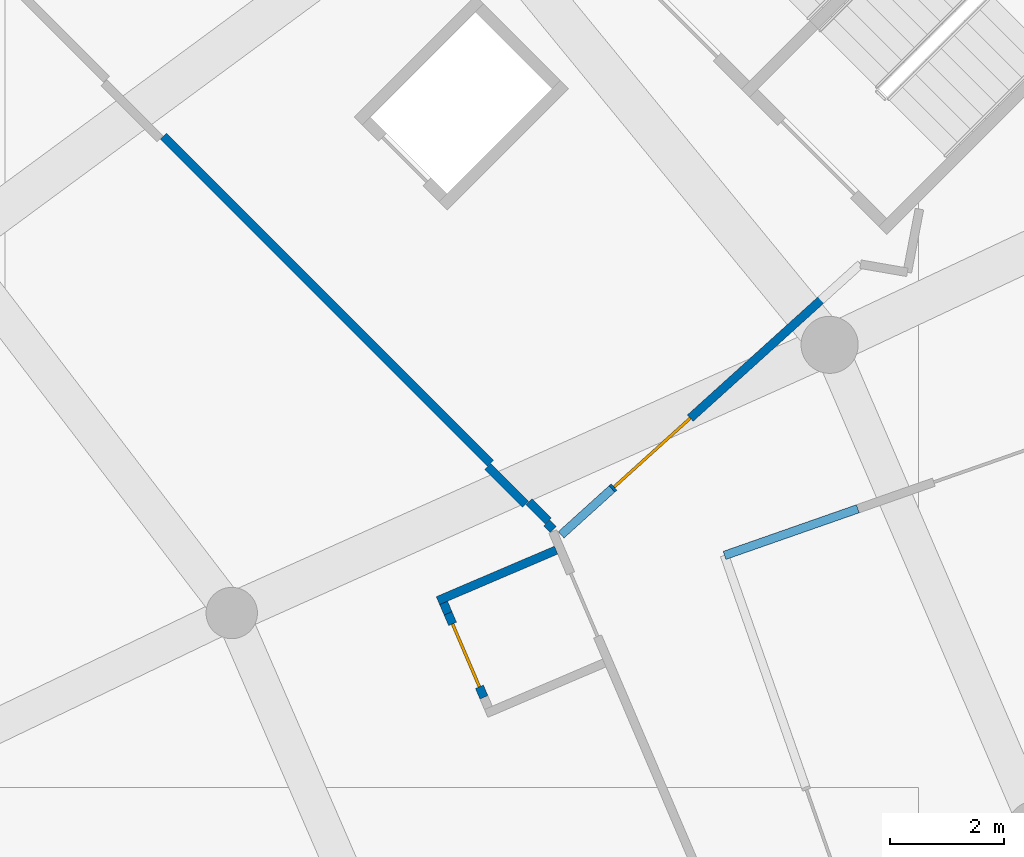
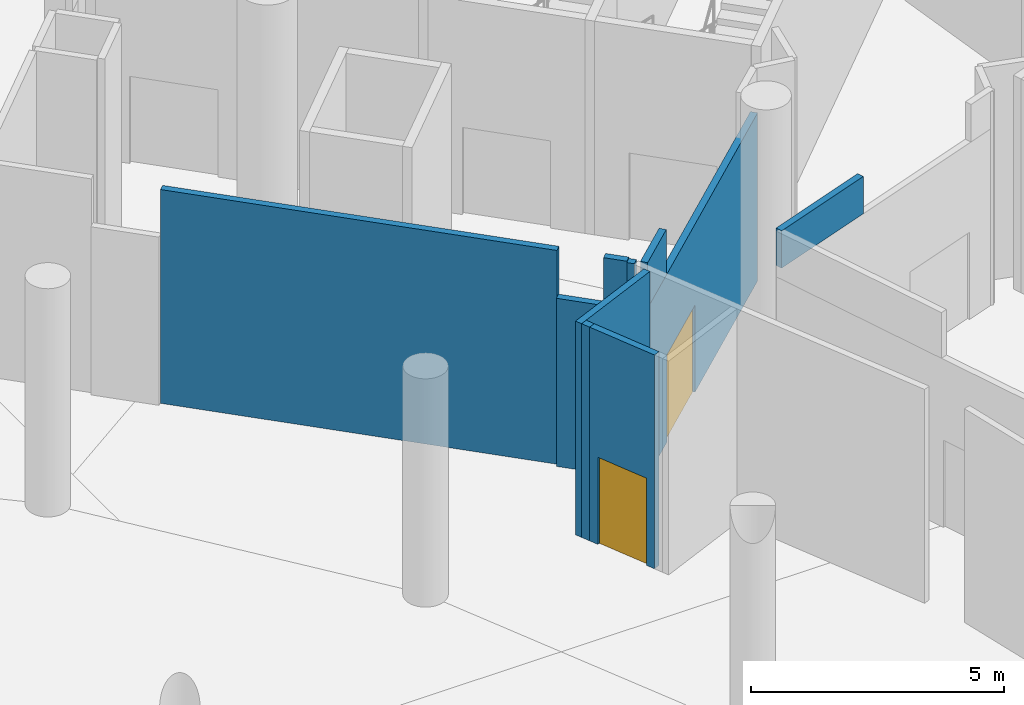
# One storey, part 191 of 271: 10 walls, 2 doors, 2 openings.
"""IFC4 building model written with IfcOpenShell, lengths in metres."""

from ifc_helpers import new_model, si_unit, direction, frame, frame_2d, origin, place, context, subcontext, project, spatial, rectangle, extrude, material, layer, layer_set, type_object, element, fill, save


model = new_model("IFC4")

# Units and contexts
model_context = context("Model", 3, precision=1e-05, world=origin(), true_north=direction((0.0, 1.0)))
body_context = subcontext(model_context, "Body", "Model", "MODEL_VIEW")
ifc_project = project(units=[si_unit("LENGTHUNIT", "METRE"), si_unit("AREAUNIT", "SQUARE_METRE"), si_unit("VOLUMEUNIT", "CUBIC_METRE"), si_unit("PLANEANGLEUNIT", "RADIAN"), si_unit("MASSUNIT", "GRAM", prefix="KILO")], contexts=[model_context])

# Site, building, storey
site_placement = place(None, origin())
site = spatial("IfcSite", under=ifc_project, at=site_placement, CompositionType="ELEMENT")
building_placement = place(site_placement, origin())
building = spatial("IfcBuilding", under=site, at=building_placement, Name="Meseta Stadium", CompositionType="ELEMENT")
storey_placement = place(building_placement, frame((0.0, 0.0, 6.5)))
storey = spatial("IfcBuildingStorey", under=building, at=storey_placement, Name="L01", CompositionType="ELEMENT", Elevation=6.5)

# Walls
ifc_material_1 = material(Name="Masonry blockwork", Category="masonry")
ifc_layer = layer(ifc_material_1, 0.14990234375)
ifc_layer_set = layer_set([ifc_layer], Name="Partition 150")
wall_type = type_object("IfcWallType", Name="Partition 150", PredefinedType="PARTITIONING", material=ifc_layer_set)
wall_1_placement = place(storey_placement, frame((66.77880859375, 75.410400390625, 0.0), z_axis=(0.0, 0.0, 1.0), x_axis=(0.707091708943, -0.707121853109, 0.0)))
element("IfcWall", 1, at=wall_1_placement, inside=storey, type_object=wall_type, Name="Partition L01 L01-cell05-0-0", PredefinedType="PARTITIONING", context=body_context, shape_type="SweptSolid", body=[
    extrude(rectangle(XDim=8.09912109375, YDim=0.14990234375, at=frame_2d((4.049560546875, 0.0))), origin(), (0.0, 0.0, 1.0), 5.14990234375),
])
wall_2_placement = place(storey_placement, frame((73.179443359375, 69.009521484375, 0.0), z_axis=(0.0, 0.0, 1.0), x_axis=(0.707106781187, -0.707106781187, 0.0)))
element("IfcWall", 2, at=wall_2_placement, inside=storey, type_object=wall_type, Name="Partition L01 L01-cell05-0-0", PredefinedType="PARTITIONING", context=body_context, shape_type="SweptSolid", body=[
    extrude(rectangle(XDim=0.4765625, YDim=0.14990234375, at=frame_2d((0.23828125, 0.0))), origin(), (0.0, 0.0, 1.0), 5.14990234375),
])
wall_3_placement = place(storey_placement, frame((78.940673828125, 68.88427734375, 4.25), z_axis=(0.0, 0.0, 1.0), x_axis=(-0.943892194222, -0.330253729256, 0.0)))
element("IfcWall", 3, at=wall_3_placement, inside=storey, type_object=wall_type, Name="Stair vestibule wall L01 core 06", PredefinedType="PARTITIONING", context=body_context, shape_type="SweptSolid", body=[
    extrude(rectangle(XDim=2.474365234375, YDim=0.14990234375, at=frame_2d((1.2373046875, 0.0))), origin(), (0.0, 0.0, 1.0), 0.89990234375),
])
wall_4_placement = place(storey_placement, frame((72.459716796875, 69.623291015625, 0.0), z_axis=(0.0, 0.0, 1.0), x_axis=(0.707106781187, -0.707106781187, 0.0)))
element("IfcWall", 4, at=wall_4_placement, inside=storey, type_object=wall_type, Name="Stair vestibule wall L01 core 07", PredefinedType="PARTITIONING", context=body_context, shape_type="SweptSolid", body=[
    extrude(rectangle(XDim=0.932861328125, YDim=0.14990234375, at=frame_2d((0.46630859375, 0.0))), origin(), (0.0, 0.0, 1.0), 4.050048828125),
])
wall_5_placement = place(storey_placement, frame((73.49169921875, 68.6337890625, 0.0), z_axis=(0.0, 0.0, 1.0), x_axis=(0.706331870343, -0.707880843743, 0.0)))
element("IfcWall", 5, at=wall_5_placement, inside=storey, type_object=wall_type, Name="Stair vestibule wall L01 core 07", PredefinedType="PARTITIONING", context=body_context, shape_type="SweptSolid", body=[
    extrude(rectangle(XDim=0.15771484375, YDim=0.14990234375, at=frame_2d((0.078857421875, 0.0))), origin(), (0.0, 0.0, 1.0), 5.14990234375),
])

# Wall, opening, door
wall_6_placement = place(storey_placement, frame((73.742431640625, 68.427001953125, 0.0), z_axis=(0.0, 0.0, 1.0), x_axis=(0.741827757785, 0.670590469496, 0.0)))
wall_6 = element("IfcWall", 6, at=wall_6_placement, inside=storey, type_object=wall_type, Name="Stair vestibule wall L01 core 07", PredefinedType="PARTITIONING", context=body_context, shape_type="SweptSolid", body=[
    extrude(rectangle(XDim=7.0703125, YDim=0.14990234375, at=frame_2d((3.53515625, 0.0))), origin(), (0.0, 0.0, 1.0), 4.050048828125),
])
opening_1_placement = place(wall_6_placement, frame((1.25, 0.0, 0.0)))
opening_1 = element("IfcOpeningElement", 7, at=opening_1_placement, cuts=wall_6, Name="Opening D762", PredefinedType="OPENING", context=body_context, shape_type="SweptSolid", body=[
    extrude(rectangle(XDim=1.800048828125, YDim=2.10009765625, at=frame_2d((0.89990234375, 1.050048828125))), frame((0.0, 0.0849609375, 0.0), z_axis=(0.0, -1.0, 0.0), x_axis=(1.0, 0.0, 0.0)), (0.0, 0.0, 1.0), 0.169921875),
])
ifc_material_2 = material(Name="Steel", Category="steel")
door_type_1 = type_object("IfcDoorType", Name="Fire double door 1800x2100 EI2 60", OperationType="DOUBLE_DOOR_SINGLE_SWING", PredefinedType="DOOR", material=ifc_material_2)
door_1_placement = place(opening_1_placement, origin())
door_1 = element("IfcDoor", 8, at=door_1_placement, inside=storey, type_object=door_type_1, Name="Stair vestibule door L01 core 07", OperationType="DOUBLE_DOOR_SINGLE_SWING", OverallHeight=2.10009765625, OverallWidth=1.800048828125, PredefinedType="DOOR", context=body_context, shape_type="SweptSolid", body=[
    extrude(rectangle(XDim=1.800048828125, YDim=2.10009765625, at=frame_2d((0.89990234375, 1.050048828125))), frame((0.0, 0.02490234375, 0.0), z_axis=(0.0, -1.0, 0.0), x_axis=(1.0, 0.0, 0.0)), (0.0, 0.0, 1.0), 0.050048828125),
])
fill(opening_1, door_1)

# Walls
wall_7_placement = place(storey_placement, frame((73.742431640625, 68.427001953125, 4.050048828125), z_axis=(0.0, 0.0, 1.0), x_axis=(0.741906759341, 0.670503065201, 0.0)))
element("IfcWall", 9, at=wall_7_placement, inside=storey, type_object=wall_type, Name="Stair vestibule wall L01 core 07", PredefinedType="PARTITIONING", context=body_context, shape_type="SweptSolid", body=[
    extrude(rectangle(XDim=1.2001953125, YDim=0.14990234375, at=frame_2d((0.60009765625, 0.0))), origin(), (0.0, 0.0, 1.0), 1.099853515625),
])
wall_8_placement = place(storey_placement, frame((73.654052734375, 68.1591796875, 0.0), z_axis=(0.0, 0.0, 1.0), x_axis=(-0.919638165537, -0.392766653993, 0.0)))
element("IfcWall", 10, at=wall_8_placement, inside=storey, type_object=wall_type, Name="Partition L01 L01-cell05-0-0 vestibule", PredefinedType="PARTITIONING", context=body_context, shape_type="SweptSolid", body=[
    extrude(rectangle(XDim=2.250244140625, YDim=0.14990234375, at=frame_2d((1.125, 0.0))), origin(), (0.0, 0.0, 1.0), 5.14990234375),
])
wall_9_placement = place(storey_placement, frame((71.683349609375, 67.236083984375, 0.0), z_axis=(0.0, 0.0, 1.0), x_axis=(0.391709037985, -0.920089142182, 0.0)))
element("IfcWall", 11, at=wall_9_placement, inside=storey, type_object=wall_type, Name="Partition L01 L01-cell05-0-0 vestibule", PredefinedType="PARTITIONING", context=body_context, shape_type="SweptSolid", body=[
    extrude(rectangle(XDim=0.199951171875, YDim=0.14990234375, at=frame_2d((0.10009765625, 0.0))), origin(), (0.0, 0.0, 1.0), 5.14990234375),
])

# Wall, opening, door
wall_10_placement = place(storey_placement, frame((71.76171875, 67.052001953125, 0.0), z_axis=(0.0, 0.0, 1.0), x_axis=(0.392758797822, -0.919641520775, 0.0)))
wall_10 = element("IfcWall", 12, at=wall_10_placement, inside=storey, type_object=wall_type, Name="Partition L01 L01-cell05-0-0 vestibule", PredefinedType="PARTITIONING", context=body_context, shape_type="SweptSolid", body=[
    extrude(rectangle(XDim=1.60009765625, YDim=0.14990234375, at=frame_2d((0.800048828125, 0.0))), origin(), (0.0, 0.0, 1.0), 5.14990234375),
])
opening_2_placement = place(wall_10_placement, frame((0.199951171875, 0.0, 0.0)))
opening_2 = element("IfcOpeningElement", 13, at=opening_2_placement, cuts=wall_10, Name="Opening D893", PredefinedType="OPENING", context=body_context, shape_type="SweptSolid", body=[
    extrude(rectangle(XDim=1.199951171875, YDim=2.10009765625, at=frame_2d((0.60009765625, 1.050048828125))), frame((0.0, 0.0849609375, 0.0), z_axis=(0.0, -1.0, 0.0), x_axis=(1.0, 0.0, 0.0)), (0.0, 0.0, 1.0), 0.169921875),
])
ifc_material_3 = material(Name="Steel", Category="steel")
door_type_2 = type_object("IfcDoorType", Name="Fire door 1200x2100 EI2 60", OperationType="NOTDEFINED", PredefinedType="DOOR", material=ifc_material_3)
door_2_placement = place(opening_2_placement, origin())
door_2 = element("IfcDoor", 14, at=door_2_placement, inside=storey, type_object=door_type_2, Name="Vestibule door L01 L01-cell05-0-0", OperationType="SINGLE_SWING_LEFT", OverallHeight=2.10009765625, OverallWidth=1.199951171875, PredefinedType="DOOR", context=body_context, shape_type="SweptSolid", body=[
    extrude(rectangle(XDim=1.199951171875, YDim=2.10009765625, at=frame_2d((0.60009765625, 1.050048828125))), frame((0.0, 0.02490234375, 0.0), z_axis=(0.0, -1.0, 0.0), x_axis=(1.0, 0.0, 0.0)), (0.0, 0.0, 1.0), 0.050048828125),
])
fill(opening_2, door_2)

save(model, "model.ifc")
